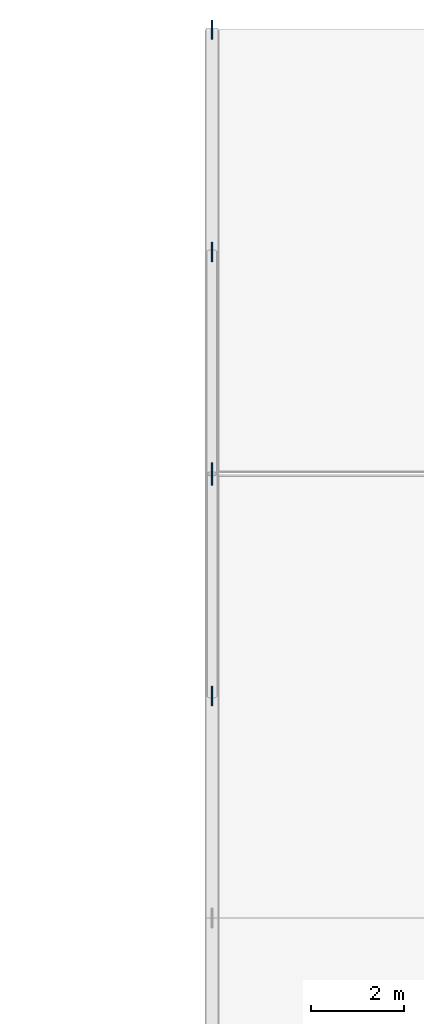
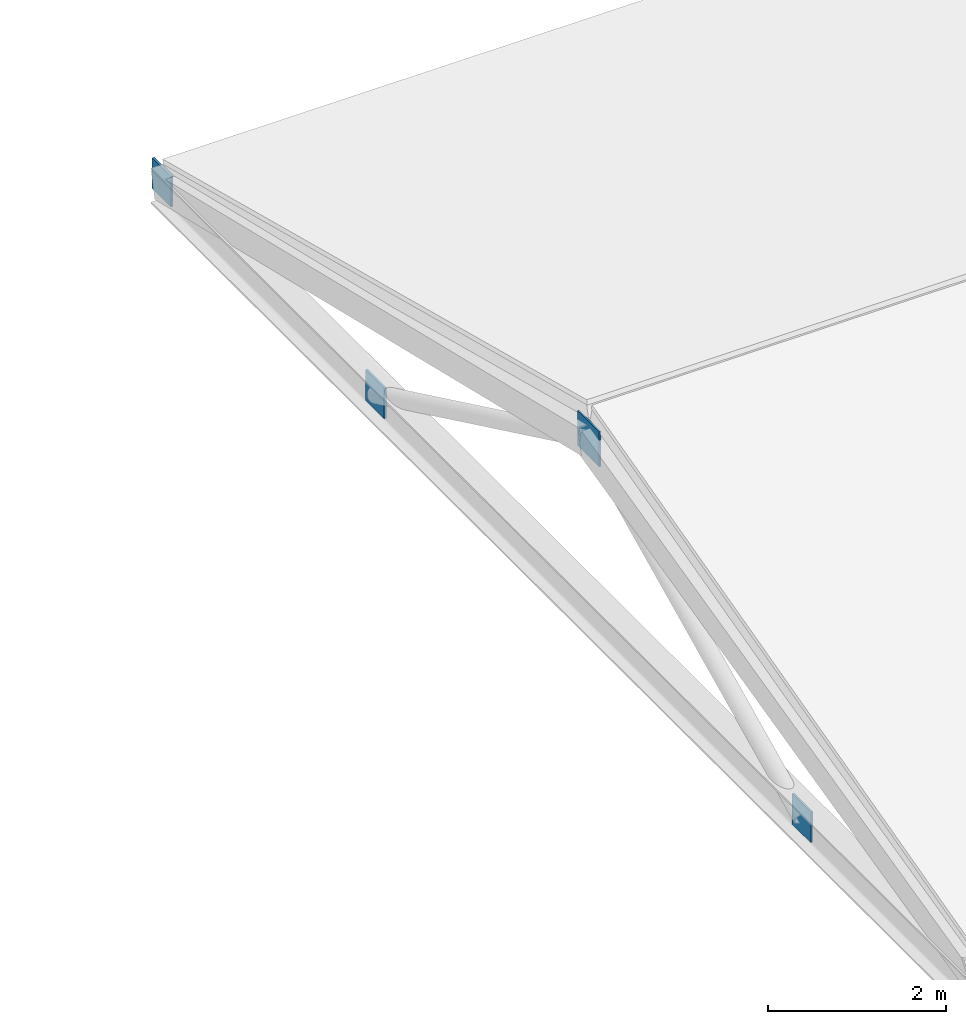
# One storey, part 25 of 52: 4 plates.
"""IFC4 building model written with IfcOpenShell, lengths in metres."""

from ifc_helpers import new_model, si_unit, direction, frame, origin, origin_2d, place, context, subcontext, project, spatial, rectangle, extrude, material, layer, layer_set, type_object, element, save


model = new_model("IFC4")

# Units and contexts
model_context = context("Model", 3, precision=1e-05, world=origin(), true_north=direction((0.0, 1.0)))
body_context = subcontext(model_context, "Body", "Model", "MODEL_VIEW")
ifc_project = project(units=[si_unit("LENGTHUNIT", "METRE"), si_unit("AREAUNIT", "SQUARE_METRE"), si_unit("VOLUMEUNIT", "CUBIC_METRE"), si_unit("PLANEANGLEUNIT", "RADIAN"), si_unit("MASSUNIT", "GRAM", prefix="KILO")], contexts=[model_context])

# Site, building, storey
site_placement = place(None, origin())
site = spatial("IfcSite", under=ifc_project, at=site_placement, CompositionType="ELEMENT")
building_placement = place(site_placement, origin())
building = spatial("IfcBuilding", under=site, at=building_placement, Name="Zarnetskaya Central Station", CompositionType="ELEMENT")
storey_placement = place(building_placement, frame((0.0, 0.0, 14.39990234375)))
storey = spatial("IfcBuildingStorey", under=building, at=storey_placement, Name="L03", CompositionType="ELEMENT", Elevation=14.39990234375)

# Plates
ifc_material = material(Name="Steel S355", Category="steel")
ifc_layer_1 = layer(ifc_material, 0.02392578125, Name="Steel S355", Category="steel")
ifc_layer_set_1 = layer_set([ifc_layer_1], Name="Steel S355")
plate_type_1 = type_object("IfcPlateType", Name="ND-GUSSET-24", PredefinedType="USERDEFINED", material=ifc_layer_set_1)
plate_placement = place(storey_placement, frame((57.60009765625, 115.199951171875, 1.81005859375), z_axis=(0.0, 0.0, 1.0), x_axis=(1.0, 0.0, 0.0)))
element("IfcPlate", 1, at=plate_placement, inside=storey, type_object=plate_type_1, Name="ROOF TRUSS SHED-SV3-01 apex gusset", ObjectType="GUSSET PLATE", PredefinedType="USERDEFINED", context=body_context, shape_type="SweptSolid", body=[
    extrude(rectangle(XDim=0.02392578125, YDim=0.47998046875, at=origin_2d()), origin(), (0.0, 0.0, 1.0), 0.47998046875),
])
ifc_layer_2 = layer(ifc_material, 0.028076171875, Name="Steel S355", Category="steel")
ifc_layer_set_2 = layer_set([ifc_layer_2], Name="Steel S355")
plate_type_2 = type_object("IfcPlateType", Name="ND-GUSSET-EXT-28", PredefinedType="USERDEFINED", material=ifc_layer_set_2)
for number, where, z_axis, x_axis, name in (
    (2, (57.60009765625, 124.800048828125, -0.4599609375), (0.0, 0.0, 1.0), (1.0, 0.0, 0.0), "Structural member end gusset plate 073"),
    (3, (57.60009765625, 110.39990234375, -0.4599609375), (0.0, 0.0, 1.0), (1.0, 0.0, 0.0), "Structural member end gusset plate 074"),
    (4, (57.60009765625, 120.0, -0.4599609375), (0.0, 0.0, 1.0), (1.0, 0.0, 0.0), "Structural member end gusset plate 075"),
):
    element("IfcPlate", number, at=place(storey_placement, frame(where, z_axis=z_axis, x_axis=x_axis)), inside=storey, type_object=plate_type_2, Name=name, ObjectType="GUSSET PLATE", PredefinedType="USERDEFINED", context=body_context, shape_type="SweptSolid", body=[
        extrude(rectangle(XDim=0.028076171875, YDim=0.419921875, at=origin_2d()), origin(), (0.0, 0.0, 1.0), 0.419921875),
    ])

save(model, "model.ifc")
